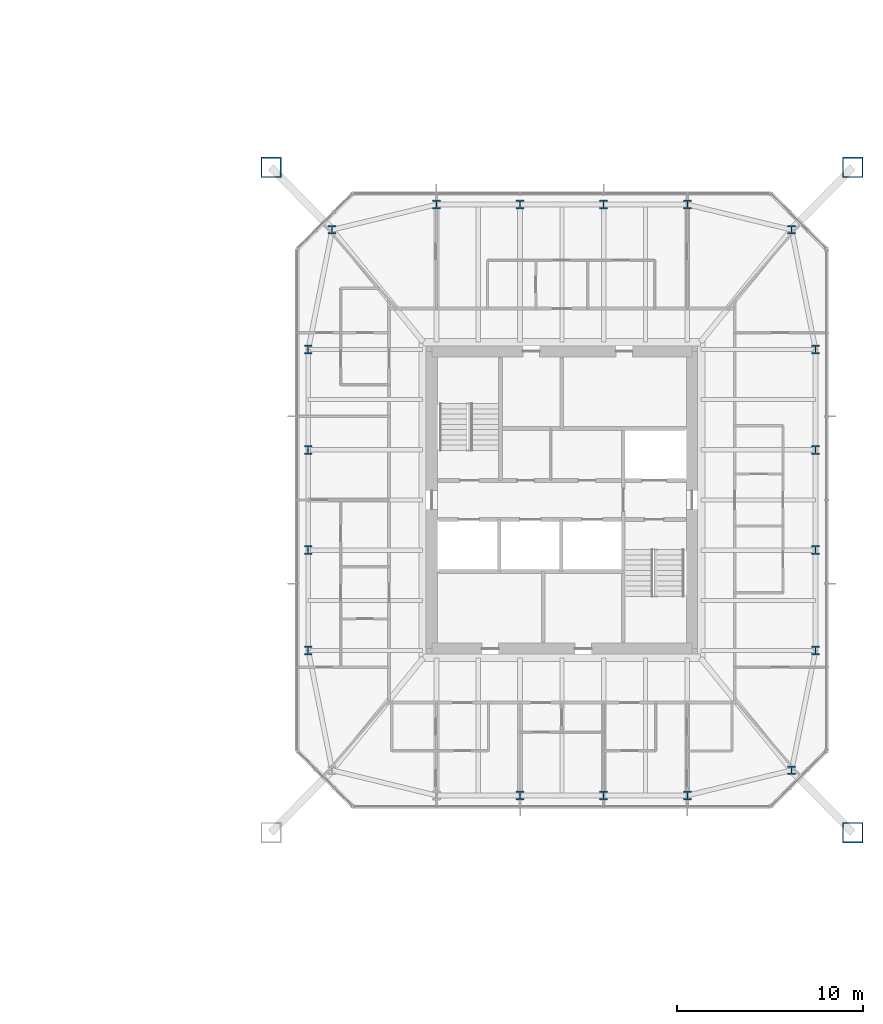
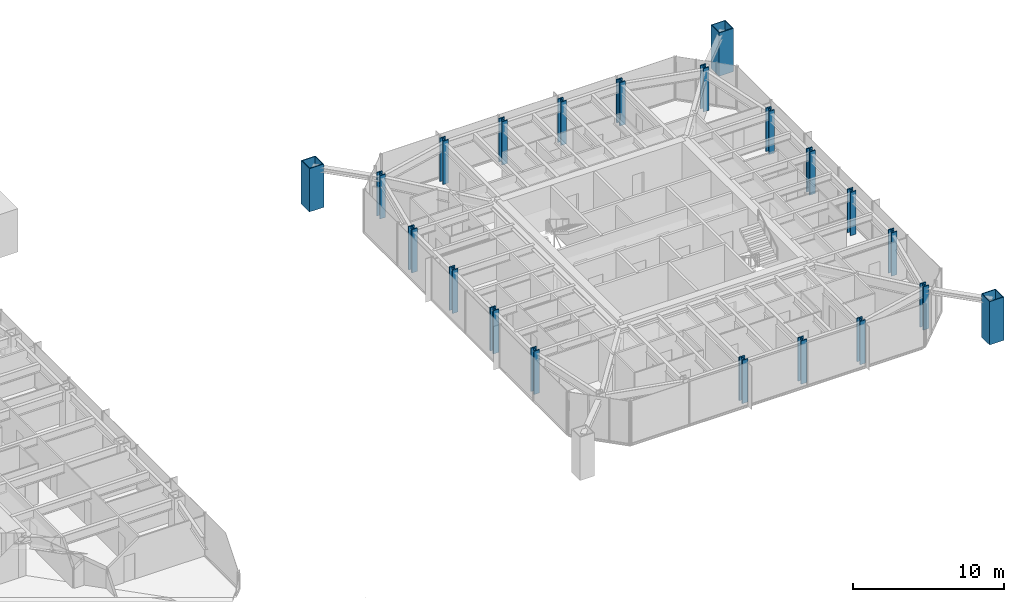
# One storey, part 2 of 25: 21 columns.
"""IFC4 building model written with IfcOpenShell, lengths in metres."""

from ifc_helpers import new_model, si_unit, direction, frame, origin, origin_2d, place, context, subcontext, project, spatial, hollow_rectangle, i_section, extrude, material, material_profile, profile_set, type_object, element, save


model = new_model("IFC4")

# Units and contexts
model_context = context("Model", 3, precision=1e-05, world=origin(), true_north=direction((0.0, 1.0)))
body_context = subcontext(model_context, "Body", "Model", "MODEL_VIEW")
ifc_project = project(units=[si_unit("LENGTHUNIT", "METRE"), si_unit("AREAUNIT", "SQUARE_METRE"), si_unit("VOLUMEUNIT", "CUBIC_METRE"), si_unit("PLANEANGLEUNIT", "RADIAN"), si_unit("MASSUNIT", "GRAM", prefix="KILO")], contexts=[model_context])

# Site, building, storey
site_placement = place(None, origin())
site = spatial("IfcSite", under=ifc_project, at=site_placement, CompositionType="ELEMENT")
building_placement = place(site_placement, origin())
building = spatial("IfcBuilding", under=site, at=building_placement, Name="Iwan Alto Co-Living Towers", CompositionType="ELEMENT")
storey_placement = place(building_placement, frame((0.0, 0.0, 84.0)))
storey = spatial("IfcBuildingStorey", under=building, at=storey_placement, Name="L22", CompositionType="ELEMENT", Elevation=84.0)

# Columns
ifc_material_1 = material(Name="Steel ASTM A572 Gr 50", Category="steel")
ifc_material_profile_1 = material_profile(ifc_material_1, hollow_rectangle(XDim=1.10009765625, YDim=1.10009765625, WallThickness=0.06005859375, at=origin_2d()), Name="BOX 1100X1100X60")
ifc_profile_set_1 = profile_set([ifc_material_profile_1], Name="Steel ASTM A572 Gr 50")
column_type_1 = type_object("IfcColumnType", Name="T2 MEGA COLUMN BOX 1100X1100X60", PredefinedType="COLUMN", material=ifc_profile_set_1)
for number, where, z_axis, x_axis, name in (
    (1, (78.64990234375, -17.89990234375, 0.0), (0.0, 0.0, 1.0), (1.0, 0.0, 0.0), "T2 mega column SE L22"),
    (2, (78.64990234375, 17.89990234375, 0.0), (0.0, 0.0, 1.0), (1.0, 0.0, 0.0), "T2 mega column NE L22"),
    (3, (47.35009765625, 17.89990234375, 0.0), (0.0, 0.0, 1.0), (1.0, 0.0, 0.0), "T2 mega column NW L22"),
):
    element("IfcColumn", number, at=place(storey_placement, frame(where, z_axis=z_axis, x_axis=x_axis)), inside=storey, type_object=column_type_1, Name=name, PredefinedType="COLUMN", context=body_context, shape_type="SweptSolid", body=[
        extrude(hollow_rectangle(XDim=1.10009765625, YDim=1.10009765625, WallThickness=0.06005859375, at=origin_2d()), origin(), (0.0, 0.0, 1.0), 3.5),
    ])
ifc_material_2 = material(Name="Steel ASTM A992 Gr 50", Category="steel")
ifc_material_profile_2 = material_profile(ifc_material_2, i_section(OverallWidth=0.4267578125, OverallDepth=0.482666015625, WebThickness=0.05126953125, FlangeThickness=0.08154296875, at=origin_2d()), Name="W14X455")
ifc_profile_set_2 = profile_set([ifc_material_profile_2], Name="Steel ASTM A992 Gr 50")
column_type_2 = type_object("IfcColumnType", Name="T2 RING COLUMN W14X455", PredefinedType="COLUMN", material=ifc_profile_set_2)
for number, where, z_axis, x_axis, name in (
    (4, (60.75, -15.89990234375, 0.0), (0.0, 0.0, 1.0), (1.0, 0.0, 0.0), "T2 ring column S2 L22"),
    (5, (65.25, -15.89990234375, 0.0), (0.0, 0.0, 1.0), (1.0, 0.0, 0.0), "T2 ring column S3 L22"),
    (6, (69.75, -15.89990234375, 0.0), (0.0, 0.0, 1.0), (1.0, 0.0, 0.0), "T2 ring column S4 L22"),
    (7, (75.361328125, -14.542724609375, 0.0), (0.0, 0.0, 1.0), (1.0, 0.0, 0.0), "T2 ring column CSE L22"),
    (8, (76.64990234375, -8.10009765625, 0.0), (0.0, 0.0, 1.0), (1.0, 0.0, 0.0), "T2 ring column E1 L22"),
    (9, (76.64990234375, -2.699951171875, 0.0), (0.0, 0.0, 1.0), (1.0, 0.0, 0.0), "T2 ring column E2 L22"),
    (10, (76.64990234375, 2.699951171875, 0.0), (0.0, 0.0, 1.0), (1.0, 0.0, 0.0), "T2 ring column E3 L22"),
    (11, (76.64990234375, 8.10009765625, 0.0), (0.0, 0.0, 1.0), (1.0, 0.0, 0.0), "T2 ring column E4 L22"),
    (12, (75.361328125, 14.542724609375, 0.0), (0.0, 0.0, 1.0), (1.0, 0.0, 0.0), "T2 ring column CNE L22"),
    (13, (69.75, 15.89990234375, 0.0), (0.0, 0.0, 1.0), (1.0, 0.0, 0.0), "T2 ring column N1 L22"),
    (14, (65.25, 15.89990234375, 0.0), (0.0, 0.0, 1.0), (1.0, 0.0, 0.0), "T2 ring column N2 L22"),
    (15, (60.75, 15.89990234375, 0.0), (0.0, 0.0, 1.0), (1.0, 0.0, 0.0), "T2 ring column N3 L22"),
    (16, (56.25, 15.89990234375, 0.0), (0.0, 0.0, 1.0), (1.0, 0.0, 0.0), "T2 ring column N4 L22"),
    (17, (50.638671875, 14.542724609375, 0.0), (0.0, 0.0, 1.0), (1.0, 0.0, 0.0), "T2 ring column CNW L22"),
    (18, (49.35009765625, 8.10009765625, 0.0), (0.0, 0.0, 1.0), (1.0, 0.0, 0.0), "T2 ring column W1 L22"),
    (19, (49.35009765625, 2.699951171875, 0.0), (0.0, 0.0, 1.0), (1.0, 0.0, 0.0), "T2 ring column W2 L22"),
    (20, (49.35009765625, -2.699951171875, 0.0), (0.0, 0.0, 1.0), (1.0, 0.0, 0.0), "T2 ring column W3 L22"),
    (21, (49.35009765625, -8.10009765625, 0.0), (0.0, 0.0, 1.0), (1.0, 0.0, 0.0), "T2 ring column W4 L22"),
):
    element("IfcColumn", number, at=place(storey_placement, frame(where, z_axis=z_axis, x_axis=x_axis)), inside=storey, type_object=column_type_2, Name=name, PredefinedType="COLUMN", context=body_context, shape_type="SweptSolid", body=[
        extrude(i_section(OverallWidth=0.4267578125, OverallDepth=0.482666015625, WebThickness=0.05126953125, FlangeThickness=0.08154296875, at=origin_2d()), origin(), (0.0, 0.0, 1.0), 3.5),
    ])

save(model, "model.ifc")
